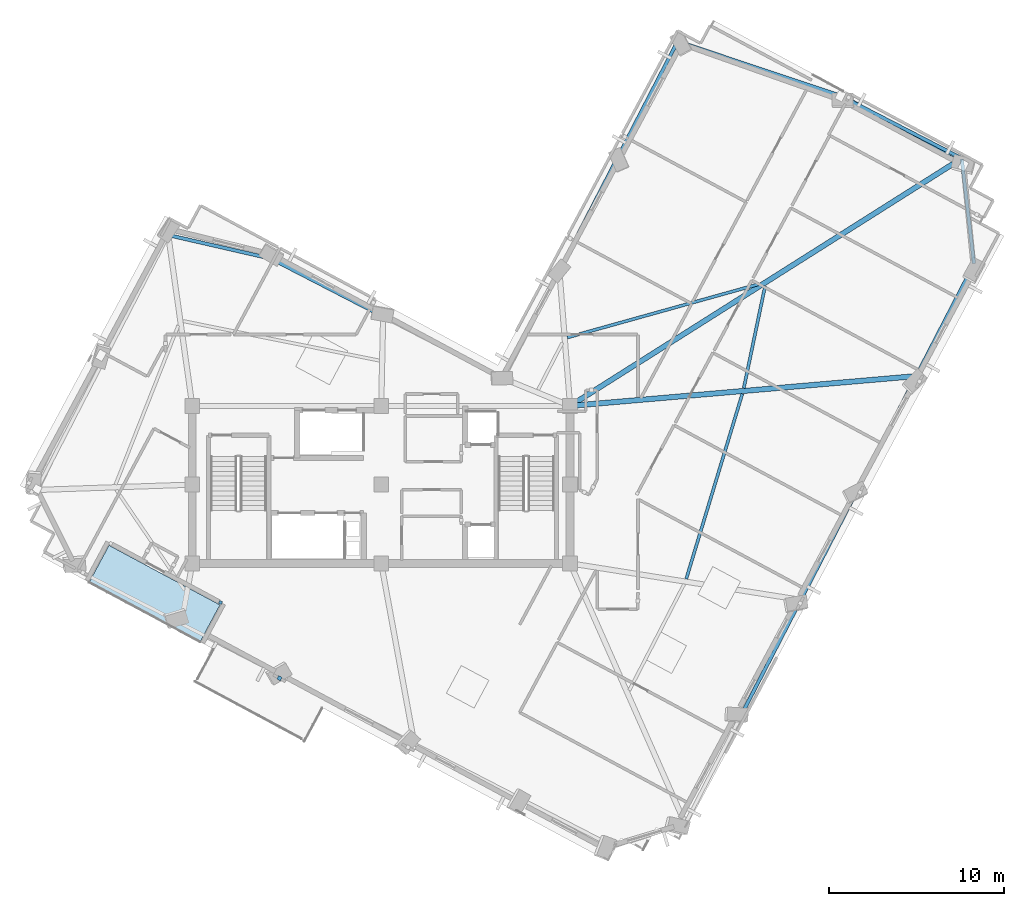
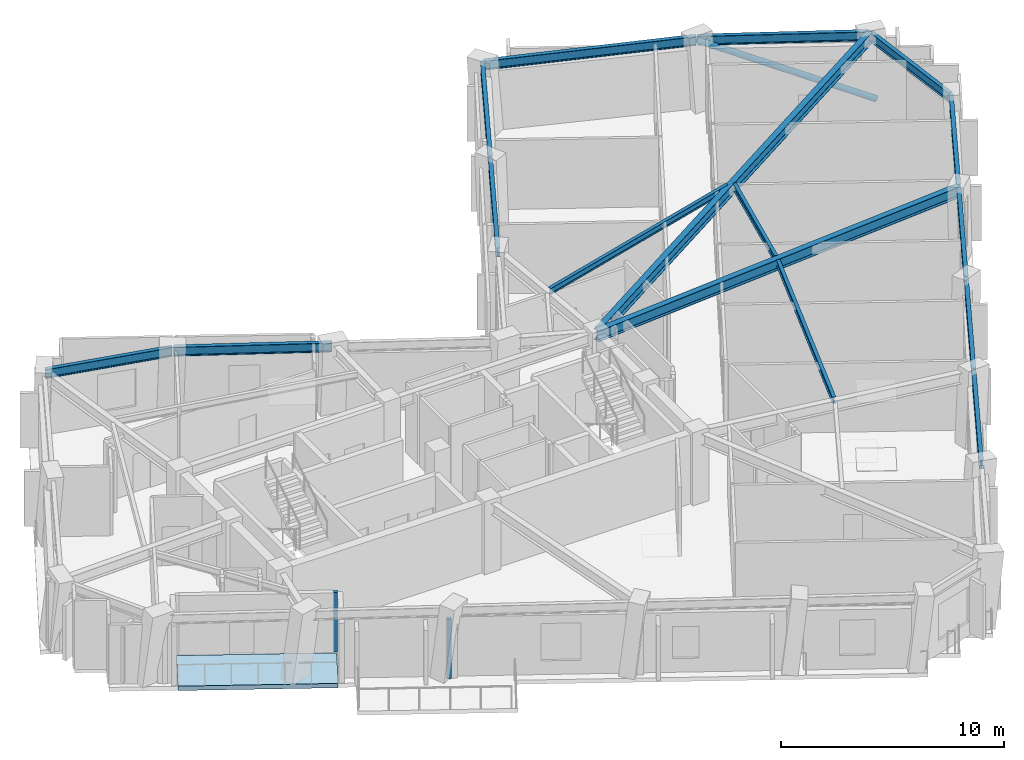
# One storey, part 2 of 14: 16 beams, 2 plates, 1 member, 1 slab.
"""IFC4 building model written with IfcOpenShell, lengths in metres."""

import ifcopenshell
import ifcopenshell.guid

model = None  # the IFC model being written
_history = None  # IfcOwnerHistory: only IFC2X3 demands one
_inside = {}  # id of a spatial element -> (the spatial element, [elements in it])
_under = {}  # id of a project, library or spatial element -> (it, [spatial elements below it])
_declared = {}  # id of a project -> (the project, [libraries it declares])
_typed = {}  # id of a type object -> (the type object, [elements of that type])
_made_of = {}  # id of a material, layer set ... -> (it, [elements and type objects made of it])


def new_model(schema):
    """Start an empty IFC model of exactly this schema.

    Asked for "IFC4X3", IfcOpenShell would pick the latest addendum, in which some entities
    have other attributes; the version numbers below select the first issue.
    IFC2X3 requires an IfcOwnerHistory on every rooted entity: one is made here for all.
    """
    global model, _history
    if schema == "IFC4X3":
        model = ifcopenshell.file(schema_version=(4, 3, 0, 0))
    else:
        model = ifcopenshell.file(schema=schema)
    _inside.clear()
    _under.clear()
    _declared.clear()
    _typed.clear()
    _made_of.clear()
    _history = None
    if model.schema == "IFC2X3":
        org = make("IfcOrganization", Name="unknown")
        user = make(
            "IfcPersonAndOrganization",
            ThePerson=make("IfcPerson", FamilyName="unknown"),
            TheOrganization=org,
        )
        app = make(
            "IfcApplication",
            ApplicationDeveloper=org,
            Version="unknown",
            ApplicationFullName="unknown",
            ApplicationIdentifier="unknown",
        )
        _history = make(
            "IfcOwnerHistory",
            OwningUser=user,
            OwningApplication=app,
            ChangeAction="ADDED",
            CreationDate=0,
        )
    return model


def make(cls, **values):
    """One entity of the class cls with the attributes given. An attribute that is None is left unset."""
    return model.create_entity(
        cls, **{name: value for name, value in values.items() if value is not None}
    )


def rooted(cls, **values):
    """An entity with a GlobalId (a new one), such as an element, a storey or a relation."""
    return make(cls, GlobalId=ifcopenshell.guid.new(), OwnerHistory=_history, **values)


def si_unit(unit_type, name, prefix=None):
    """IfcSIUnit, for example si_unit("LENGTHUNIT", "METRE", prefix="MILLI")."""
    return make("IfcSIUnit", UnitType=unit_type, Prefix=prefix, Name=name)


def assignment(units):
    """IfcUnitAssignment: the units of a project."""
    return None if units is None else make("IfcUnitAssignment", Units=units)


def point(xyz):
    """IfcCartesianPoint."""
    return None if xyz is None else make("IfcCartesianPoint", Coordinates=xyz)


def direction(xyz):
    """IfcDirection."""
    return None if xyz is None else make("IfcDirection", DirectionRatios=xyz)


def frame(location, z_axis=None, x_axis=None):
    """IfcAxis2Placement3D, a coordinate frame: its origin and axes. An axis left out is left unset."""
    return make(
        "IfcAxis2Placement3D",
        Location=point(location),
        Axis=direction(z_axis),
        RefDirection=direction(x_axis),
    )


def frame_2d(location, x_axis=None):
    """IfcAxis2Placement2D, a coordinate frame in the plane: its origin and x axis."""
    return make(
        "IfcAxis2Placement2D", Location=point(location), RefDirection=direction(x_axis)
    )


def origin():
    """The frame at (0, 0, 0) with its axes left unset."""
    return frame((0.0, 0.0, 0.0))


def origin_2d():
    """The frame at (0, 0) in the plane with its x axis left unset."""
    return frame_2d((0.0, 0.0))


def place(relative_to, where):
    """IfcLocalPlacement: puts the frame where relative to a parent placement (None: the world)."""
    return make(
        "IfcLocalPlacement", PlacementRelTo=relative_to, RelativePlacement=where
    )


def context(
    kind, dimensions, precision=None, world=None, true_north=None, identifier=None
):
    """IfcGeometricRepresentationContext, for example the 3D "Model" context."""
    return make(
        "IfcGeometricRepresentationContext",
        ContextIdentifier=identifier,
        ContextType=kind,
        CoordinateSpaceDimension=dimensions,
        Precision=precision,
        WorldCoordinateSystem=world,
        TrueNorth=true_north,
    )


def subcontext(parent, identifier, kind, view, scale=None):
    """IfcGeometricRepresentationSubContext, for example "Body" below "Model"."""
    return make(
        "IfcGeometricRepresentationSubContext",
        ContextIdentifier=identifier,
        ContextType=kind,
        ParentContext=parent,
        TargetScale=scale,
        TargetView=view,
    )


def project(units=None, contexts=None):
    """IfcProject with its units and contexts."""
    return rooted(
        "IfcProject",
        Name="project",
        RepresentationContexts=contexts,
        UnitsInContext=assignment(units),
    )


def spatial(cls, under=None, at=None, **own):
    """A site, building, storey or space (cls), placed at a placement, below another one or the project."""
    s = rooted(cls, ObjectPlacement=at, **own)
    if under is not None:
        _under.setdefault(under.id(), (under, []))[1].append(s)
    return s


def polyline(points):
    """IfcPolyline through the points."""
    return make("IfcPolyline", Points=[point(p) for p in points])


def profile(cls, at=None, kind="AREA", **sizes):
    """A parametric profile (cls). Its sizes go by their IFC names, for example OverallWidth=200.0."""
    return make(cls, ProfileType=kind, Position=at, **sizes)


def rectangle(**sizes):
    """IfcRectangleProfileDef."""
    return profile("IfcRectangleProfileDef", **sizes)


def hollow_circle(**sizes):
    """IfcCircleHollowProfileDef."""
    return profile("IfcCircleHollowProfileDef", **sizes)


def i_section(**sizes):
    """IfcIShapeProfileDef."""
    return profile("IfcIShapeProfileDef", **sizes)


def outline(outer, holes=None, kind="AREA"):
    """IfcArbitraryClosedProfileDef: a profile drawn as a closed curve; with holes, ...WithVoids."""
    if holes is None:
        return make("IfcArbitraryClosedProfileDef", ProfileType=kind, OuterCurve=outer)
    return make(
        "IfcArbitraryProfileDefWithVoids",
        ProfileType=kind,
        OuterCurve=outer,
        InnerCurves=holes,
    )


def extrude(swept, where, along, depth):
    """IfcExtrudedAreaSolid: the profile swept, set in the frame where, extruded along a direction by depth."""
    return make(
        "IfcExtrudedAreaSolid",
        SweptArea=swept,
        Position=where,
        ExtrudedDirection=direction(along),
        Depth=depth,
    )


def shape(context_of_items, identifier, shape_type, items):
    """IfcShapeRepresentation: the items that make up one representation, for example the "Body"."""
    return make(
        "IfcShapeRepresentation",
        ContextOfItems=context_of_items,
        RepresentationIdentifier=identifier,
        RepresentationType=shape_type,
        Items=items,
    )


def material(Name=None, Category=None):
    """IfcMaterial."""
    return make("IfcMaterial", Name=Name, Category=Category)


def layer(
    of_material, thickness, ventilated=None, Name=None, Category=None, Priority=None
):
    """IfcMaterialLayer: one layer of a wall or slab, of a material (None: an air gap)."""
    return make(
        "IfcMaterialLayer",
        Material=of_material,
        LayerThickness=thickness,
        IsVentilated=ventilated,
        Name=Name,
        Category=Category,
        Priority=Priority,
    )


def layer_set(layers, Name=None):
    """IfcMaterialLayerSet."""
    return make("IfcMaterialLayerSet", MaterialLayers=layers, LayerSetName=Name)


def material_profile(
    of_material, cross_section, Name=None, Category=None, Priority=None
):
    """IfcMaterialProfile: a cross section and its material."""
    return make(
        "IfcMaterialProfile",
        Name=Name,
        Material=of_material,
        Profile=cross_section,
        Priority=Priority,
        Category=Category,
    )


def profile_set(profiles, Name=None, composite=None):
    """IfcMaterialProfileSet."""
    return make(
        "IfcMaterialProfileSet",
        Name=Name,
        MaterialProfiles=profiles,
        CompositeProfile=composite,
    )


def made_of(thing, what):
    """Note that an element or type object is made of a material, layer set ...; save() writes the relation."""
    if what is not None:
        _made_of.setdefault(what.id(), (what, []))[1].append(thing)
    return thing


def type_object(cls, material=None, **own):
    """A type object (cls), such as IfcWallType, which elements share."""
    return made_of(rooted(cls, **own), material)


def element(
    cls,
    number,
    at=None,
    inside=None,
    cuts=None,
    type_object=None,
    material=None,
    context=None,
    identifier="Body",
    shape_type=None,
    held_by="IfcProductDefinitionShape",
    body=None,
    shapes=None,
    **own,
):
    """One element of the class cls, such as IfcWall. Its Tag is "e" and its number.

    at: its placement. inside: the storey or other place that contains it. cuts: it is an
    opening in that element (IfcRelVoidsElement). A single representation is given by context,
    identifier, shape_type and body (its items); several are given by shapes. held_by: the class
    of the entity that holds the representations. save() writes the other relations.
    """
    e = rooted(cls, Tag="e%d" % number, ObjectPlacement=at, **own)
    if body is not None:
        shapes = [shape(context, identifier, shape_type, body)]
    if shapes is not None:
        e.Representation = make(held_by, Representations=shapes)
    if inside is not None:
        _inside.setdefault(inside.id(), (inside, []))[1].append(e)
    if cuts is not None:
        rooted(
            "IfcRelVoidsElement", RelatingBuildingElement=cuts, RelatedOpeningElement=e
        )
    if type_object is not None:
        _typed.setdefault(type_object.id(), (type_object, []))[1].append(e)
    return made_of(e, material)


def aggregate(whole, parts):
    """IfcRelAggregates: a whole, such as a stair, and the parts it consists of."""
    return rooted("IfcRelAggregates", RelatingObject=whole, RelatedObjects=parts)


def save(model, path):
    """Write the relations noted so far, then the file.

    IfcRelAggregates (storeys below a building ...), IfcRelContainedInSpatialStructure (elements
    in a storey), IfcRelDefinesByType, IfcRelAssociatesMaterial and IfcRelDeclares: one each for
    every whole, place, type object, material and project.
    """
    for whole, parts in _under.values():
        aggregate(whole, parts)
    for where, things in _inside.values():
        rooted(
            "IfcRelContainedInSpatialStructure",
            RelatedElements=things,
            RelatingStructure=where,
        )
    for kind, things in _typed.values():
        rooted("IfcRelDefinesByType", RelatedObjects=things, RelatingType=kind)
    for what, things in _made_of.values():
        rooted("IfcRelAssociatesMaterial", RelatedObjects=things, RelatingMaterial=what)
    for by, libraries in _declared.values():
        rooted("IfcRelDeclares", RelatingContext=by, RelatedDefinitions=libraries)
    model.write(path)


model = new_model("IFC4")

# Units and contexts
model_context = context("Model", 3, precision=1e-05, world=origin(), true_north=direction((0.0, 1.0)))
body_context = subcontext(model_context, "Body", "Model", "MODEL_VIEW")
ifc_project = project(units=[si_unit("LENGTHUNIT", "METRE"), si_unit("AREAUNIT", "SQUARE_METRE"), si_unit("VOLUMEUNIT", "CUBIC_METRE"), si_unit("PLANEANGLEUNIT", "RADIAN"), si_unit("MASSUNIT", "GRAM", prefix="KILO")], contexts=[model_context])

# Site, building, storey
site_placement = place(None, origin())
site = spatial("IfcSite", under=ifc_project, at=site_placement, CompositionType="ELEMENT")
building_placement = place(site_placement, origin())
building = spatial("IfcBuilding", under=site, at=building_placement, Name="Gaonmaruhae Medical Tower", CompositionType="ELEMENT")
storey_placement = place(building_placement, frame((0.0, 0.0, 288.60009765625)))
storey = spatial("IfcBuildingStorey", under=building, at=storey_placement, Name="L69", CompositionType="ELEMENT", Elevation=288.60009765625)

# Beams
ifc_material_1 = material(Name="Steel SM355", Category="steel")
ifc_material_profile_1 = material_profile(ifc_material_1, i_section(OverallWidth=0.175048828125, OverallDepth=0.35009765625, WebThickness=0.007080078125, FlangeThickness=0.010986328125, FilletRadius=0.012939453125, at=origin_2d()), Name="H-350x175x7x11")
ifc_profile_set_1 = profile_set([ifc_material_profile_1], Name="Steel SM355")
beam_type_1 = type_object("IfcBeamType", Name="FJ-02 Upper Zone Ward Floor Joist (H-350x175x7x11)", PredefinedType="JOIST", material=ifc_profile_set_1)
beam_1_placement = place(storey_placement, frame((42.23828125, 6.905029296875, 3.60498046875), z_axis=(0.289989019714, 0.957029972595, 0.0), x_axis=(-0.957029972595, 0.289989019714, 0.0)))
element("IfcBeam", 1, at=beam_1_placement, inside=storey, type_object=beam_type_1, Name="L69 Secondary Floor Joist FJ02", PredefinedType="JOIST", context=body_context, shape_type="SweptSolid", body=[
    extrude(i_section(OverallWidth=0.175048828125, OverallDepth=0.35009765625, WebThickness=0.007080078125, FlangeThickness=0.010986328125, FilletRadius=0.012939453125, at=origin_2d()), origin(), (0.0, 0.0, 1.0), 11.0625),
])
beam_2_placement = place(storey_placement, frame((45.528076171875, 17.811767578125, 3.60498046875), z_axis=(0.204283617982, 0.978911744451, 0.0), x_axis=(-0.978911744451, 0.204283617982, 0.0)))
element("IfcBeam", 2, at=beam_2_placement, inside=storey, type_object=beam_type_1, Name="L69 Secondary Floor Joist FJ03", PredefinedType="JOIST", context=body_context, shape_type="SweptSolid", body=[
    extrude(i_section(OverallWidth=0.175048828125, OverallDepth=0.35009765625, WebThickness=0.007080078125, FlangeThickness=0.010986328125, FilletRadius=0.012939453125, at=origin_2d()), origin(), (0.0, 0.0, 1.0), 5.97900390625),
])
beam_3_placement = place(storey_placement, frame((46.407470703125, 23.767333984375, 3.60498046875), z_axis=(-0.963259305527, -0.268573100508, 0.0), x_axis=(0.268573100508, -0.963259305527, 0.0)))
element("IfcBeam", 3, at=beam_3_placement, inside=storey, type_object=beam_type_1, Name="L69 Secondary Floor Joist FJ04", PredefinedType="JOIST", context=body_context, shape_type="SweptSolid", body=[
    extrude(i_section(OverallWidth=0.175048828125, OverallDepth=0.35009765625, WebThickness=0.007080078125, FlangeThickness=0.010986328125, FilletRadius=0.012939453125, at=origin_2d()), origin(), (0.0, 0.0, 1.0), 11.381103515625),
])

# Member
ifc_material_profile_2 = material_profile(ifc_material_1, hollow_circle(Radius=0.1591796875, WallThickness=0.01025390625, at=origin_2d()), Name="CHS-318.5x10.3")
ifc_profile_set_2 = profile_set([ifc_material_profile_2], Name="Steel SM355")
member_type = type_object("IfcMemberType", Name="PB-03 Perimeter Solid-Bay Tube Brace Upper (CHS-318.5x10.3)", PredefinedType="BRACE", material=ifc_profile_set_2)
member_placement = place(storey_placement, frame((58.08544921875, 30.544677734375, 0.25), z_axis=(-0.806178102095, 0.456733464592, 0.376126853634), x_axis=(-0.492930229032, -0.870068841705, 0.0)))
element("IfcMember", 4, at=member_placement, inside=storey, type_object=member_type, Name="L69 Perimeter Tube Solid-Bay Brace E01-E02", PredefinedType="BRACE", context=body_context, shape_type="SweptSolid", body=[
    extrude(hollow_circle(Radius=0.1591796875, WallThickness=0.01025390625, at=origin_2d()), origin(), (0.0, 0.0, 1.0), 8.719970703125),
])

# Beams
ifc_material_2 = material(Name="Steel SM420", Category="steel")
ifc_material_profile_3 = material_profile(ifc_material_2, i_section(OverallWidth=0.300048828125, OverallDepth=0.60009765625, WebThickness=0.011962890625, FlangeThickness=0.02001953125, FilletRadius=0.012939453125, at=origin_2d()), Name="H-600x300x12x20")
ifc_profile_set_3 = profile_set([ifc_material_profile_3], Name="Steel SM420")
beam_type_2 = type_object("IfcBeamType", Name="PG-04 Zone 4 Radial Floor Girder (H-600x300x12x20)", PredefinedType="BEAM", material=ifc_profile_set_3)
beam_4_placement = place(storey_placement, frame((35.64990234375, 16.80419921875, 3.47998046875), z_axis=(0.996308650017, 0.085843310176, 0.0), x_axis=(-0.085843310176, 0.996308650017, 0.0)))
element("IfcBeam", 5, at=beam_4_placement, inside=storey, type_object=beam_type_2, Name="L69 Radial Primary Girder S05", PredefinedType="BEAM", context=body_context, shape_type="SweptSolid", body=[
    extrude(i_section(OverallWidth=0.300048828125, OverallDepth=0.60009765625, WebThickness=0.011962890625, FlangeThickness=0.02001953125, FilletRadius=0.012939453125, at=origin_2d()), origin(), (0.0, 0.0, 1.0), 19.76318359375),
])
beam_5_placement = place(storey_placement, frame((35.642333984375, 16.82666015625, 3.47998046875), z_axis=(0.845299750462, 0.534292365535, 0.0), x_axis=(-0.534292365535, 0.845299750462, 0.0)))
element("IfcBeam", 6, at=beam_5_placement, inside=storey, type_object=beam_type_2, Name="L69 Radial Primary Girder E01", PredefinedType="BEAM", context=body_context, shape_type="SweptSolid", body=[
    extrude(i_section(OverallWidth=0.300048828125, OverallDepth=0.60009765625, WebThickness=0.011962890625, FlangeThickness=0.02001953125, FilletRadius=0.012939453125, at=origin_2d()), origin(), (0.0, 0.0, 1.0), 26.3837890625),
])
ifc_material_profile_4 = material_profile(ifc_material_1, i_section(OverallWidth=0.199951171875, OverallDepth=0.5, WebThickness=0.010009765625, FlangeThickness=0.01611328125, FilletRadius=0.012939453125, at=origin_2d()), Name="H-500x200x10x16")
ifc_profile_set_4 = profile_set([ifc_material_profile_4], Name="Steel SM355")
beam_type_3 = type_object("IfcBeamType", Name="SP-02 Upper Perimeter Spandrel Beam (H-500x200x10x16)", PredefinedType="SPANDREL", material=ifc_profile_set_4)
for number, where, z_axis, x_axis, name in (
    (7, (45.501220703125, -0.653564453125, 3.52978515625), (0.458656894744, 0.888613444026, 0.0), (-0.888613444026, 0.458656894744, 0.0), "L69 Perimeter Spandrel Beam S02-S03"),
    (8, (48.803466796875, 5.744384765625, 3.52978515625), (0.458656894744, 0.888613444026, 0.0), (-0.888613444026, 0.458656894744, 0.0), "L69 Perimeter Spandrel Beam S03-S04"),
    (9, (52.10595703125, 12.142578125, 3.52978515625), (0.458629817923, 0.888627419176, 0.0), (-0.888627419176, 0.458629817923, 0.0), "L69 Perimeter Spandrel Beam S04-S05"),
    (10, (55.408203125, 18.54052734375, 3.52978515625), (0.458656894744, 0.888613444026, 0.0), (-0.888613444026, 0.458656894744, 0.0), "L69 Perimeter Spandrel Beam S05-S06"),
):
    element("IfcBeam", number, at=place(storey_placement, frame(where, z_axis=z_axis, x_axis=x_axis)), inside=storey, type_object=beam_type_3, Name=name, PredefinedType="SPANDREL", context=body_context, shape_type="SweptSolid", body=[
        extrude(i_section(OverallWidth=0.199951171875, OverallDepth=0.5, WebThickness=0.010009765625, FlangeThickness=0.01611328125, FilletRadius=0.012939453125, at=origin_2d()), origin(), (0.0, 0.0, 1.0), 7.119873046875),
    ])
beam_6_placement = place(storey_placement, frame((58.6875, 24.942626953125, 3.52978515625), z_axis=(-0.115813213553, 0.993271010131, 0.0), x_axis=(-0.993271010131, -0.115813213553, 0.0)))
element("IfcBeam", 11, at=beam_6_placement, inside=storey, type_object=beam_type_3, Name="L69 Perimeter Spandrel Beam S06-E01", PredefinedType="SPANDREL", context=body_context, shape_type="SweptSolid", body=[
    extrude(i_section(OverallWidth=0.199951171875, OverallDepth=0.5, WebThickness=0.010009765625, FlangeThickness=0.01611328125, FilletRadius=0.012939453125, at=origin_2d()), origin(), (0.0, 0.0, 1.0), 6.008056640625),
])
beam_7_placement = place(storey_placement, frame((57.951416015625, 30.96826171875, 3.52978515625), z_axis=(-0.888616915096, 0.458650169744, 0.0), x_axis=(-0.458650169744, -0.888616915096, 0.0)))
element("IfcBeam", 12, at=beam_7_placement, inside=storey, type_object=beam_type_3, Name="L69 Perimeter Spandrel Beam E01-E02", PredefinedType="SPANDREL", context=body_context, shape_type="SweptSolid", body=[
    extrude(i_section(OverallWidth=0.199951171875, OverallDepth=0.5, WebThickness=0.010009765625, FlangeThickness=0.01611328125, FilletRadius=0.012939453125, at=origin_2d()), origin(), (0.0, 0.0, 1.0), 7.719970703125),
])
beam_8_placement = place(storey_placement, frame((51.017822265625, 34.5400390625, 3.52978515625), z_axis=(-0.94827121789, 0.317461332009, 0.0), x_axis=(-0.317461332009, -0.94827121789, 0.0)))
element("IfcBeam", 13, at=beam_8_placement, inside=storey, type_object=beam_type_3, Name="L69 Perimeter Spandrel Beam E02-E03", PredefinedType="SPANDREL", context=body_context, shape_type="SweptSolid", body=[
    extrude(i_section(OverallWidth=0.199951171875, OverallDepth=0.5, WebThickness=0.010009765625, FlangeThickness=0.01611328125, FilletRadius=0.012939453125, at=origin_2d()), origin(), (0.0, 0.0, 1.0), 9.7353515625),
])
beam_9_placement = place(storey_placement, frame((41.729736328125, 37.60791015625, 3.52978515625), z_axis=(-0.45864208725, -0.888621086742, 0.0), x_axis=(0.888621086742, -0.45864208725, 0.0)))
element("IfcBeam", 14, at=beam_9_placement, inside=storey, type_object=beam_type_3, Name="L69 Perimeter Spandrel Beam E03-EN01", PredefinedType="SPANDREL", context=body_context, shape_type="SweptSolid", body=[
    extrude(i_section(OverallWidth=0.199951171875, OverallDepth=0.5, WebThickness=0.010009765625, FlangeThickness=0.01611328125, FilletRadius=0.012939453125, at=origin_2d()), origin(), (0.0, 0.0, 1.0), 7.469970703125),
])
for number, where, z_axis, x_axis, name in (
    (15, (38.26708984375, 30.898681640625, 3.52978515625), (-0.458656894744, -0.888613444026, 0.0), (0.888613444026, -0.458656894744, 0.0), "L69 Perimeter Spandrel Beam EN01-EN02"),
    (16, (24.873046875, 21.933349609375, 3.52978515625), (-0.888627419176, 0.458629817923, 0.0), (-0.458629817923, -0.888627419176, 0.0), "L69 Perimeter Spandrel Beam NE01-NE02"),
):
    element("IfcBeam", number, at=place(storey_placement, frame(where, z_axis=z_axis, x_axis=x_axis)), inside=storey, type_object=beam_type_3, Name=name, PredefinedType="SPANDREL", context=body_context, shape_type="SweptSolid", body=[
        extrude(i_section(OverallWidth=0.199951171875, OverallDepth=0.5, WebThickness=0.010009765625, FlangeThickness=0.01611328125, FilletRadius=0.012939453125, at=origin_2d()), origin(), (0.0, 0.0, 1.0), 7.119873046875),
    ])
beam_10_placement = place(storey_placement, frame((18.4716796875, 25.22607421875, 3.52978515625), z_axis=(-0.974688628008, 0.223566720316, 0.0), x_axis=(-0.223566720316, -0.974688628008, 0.0)))
element("IfcBeam", 17, at=beam_10_placement, inside=storey, type_object=beam_type_3, Name="L69 Perimeter Spandrel Beam NE02-N01", PredefinedType="SPANDREL", context=body_context, shape_type="SweptSolid", body=[
    extrude(i_section(OverallWidth=0.199951171875, OverallDepth=0.5, WebThickness=0.010009765625, FlangeThickness=0.01611328125, FilletRadius=0.012939453125, at=origin_2d()), origin(), (0.0, 0.0, 1.0), 5.959228515625),
])

# Plates
ifc_material_3 = material(Name="Anodised aluminium 6063-T6", Category="aluminium")
ifc_layer_1 = layer(ifc_material_3, 0.011962890625)
ifc_layer_set_1 = layer_set([ifc_layer_1], Name="Anodised aluminium 6063-T6")
plate_type = type_object("IfcPlateType", Name="PP-01 Interior Partition Corner Stiffener Plate", PredefinedType="SHEET", material=ifc_layer_set_1)
plate_1_placement = place(storey_placement, frame((15.612060546875, 5.562744140625, 0.0), z_axis=(0.0, 0.0, 1.0), x_axis=(-0.880890738205, 0.473319667185, 0.0)))
element("IfcPlate", 18, at=plate_1_placement, inside=storey, type_object=plate_type, Name="L69 Partition End Jamb Post Plate PLT-L69-ENDP-TERB-0", PredefinedType="SHEET", context=body_context, shape_type="SweptSolid", body=[
    extrude(rectangle(XDim=0.179931640625, YDim=0.179931640625, at=origin_2d()), origin(), (0.0, 0.0, 1.0), 3.264892578125),
])
plate_2_placement = place(storey_placement, frame((18.98095703125, 1.23193359375, -0.000244140625), z_axis=(0.0, 0.0, 1.0), x_axis=(-0.880956817511, 0.473196667022, 0.0)))
element("IfcPlate", 19, at=plate_2_placement, inside=storey, type_object=plate_type, Name="L69 Partition Corner Stiffener Plate PLT-L69-JGP-PW047", PredefinedType="SHEET", context=body_context, shape_type="SweptSolid", body=[
    extrude(rectangle(XDim=0.219970703125, YDim=0.219970703125, at=origin_2d()), origin(), (0.0, 0.0, 1.0), 3.2451171875),
])

# Slab
ifc_material_4 = material(Name="Concrete C40/50", Category="concrete")
ifc_layer_2 = layer(ifc_material_4, 0.239990234375)
ifc_layer_set_2 = layer_set([ifc_layer_2], Name="Concrete C40/50")
slab_type = type_object("IfcSlabType", Name="TS-240 Sky Garden & Recovery Terrace Slab", PredefinedType="FLOOR", material=ifc_layer_set_2)
slab_placement = place(storey_placement, frame((0.0, 0.0, -0.239990234375)))
element("IfcSlab", 20, at=slab_placement, inside=storey, type_object=slab_type, Name="L69 Outdoor Recovery Terrace Slab", PredefinedType="FLOOR", context=body_context, shape_type="SweptSolid", body=[
    extrude(outline(polyline([(14.445068359375, 3.306396484375), (15.5810546875, 5.42041015625), (9.238525390625, 8.828369140625), (8.102783203125, 6.714111328125), (14.445068359375, 3.306396484375)])), origin(), (0.0, 0.0, 1.0), 0.239990234375),
])

save(model, "model.ifc")
